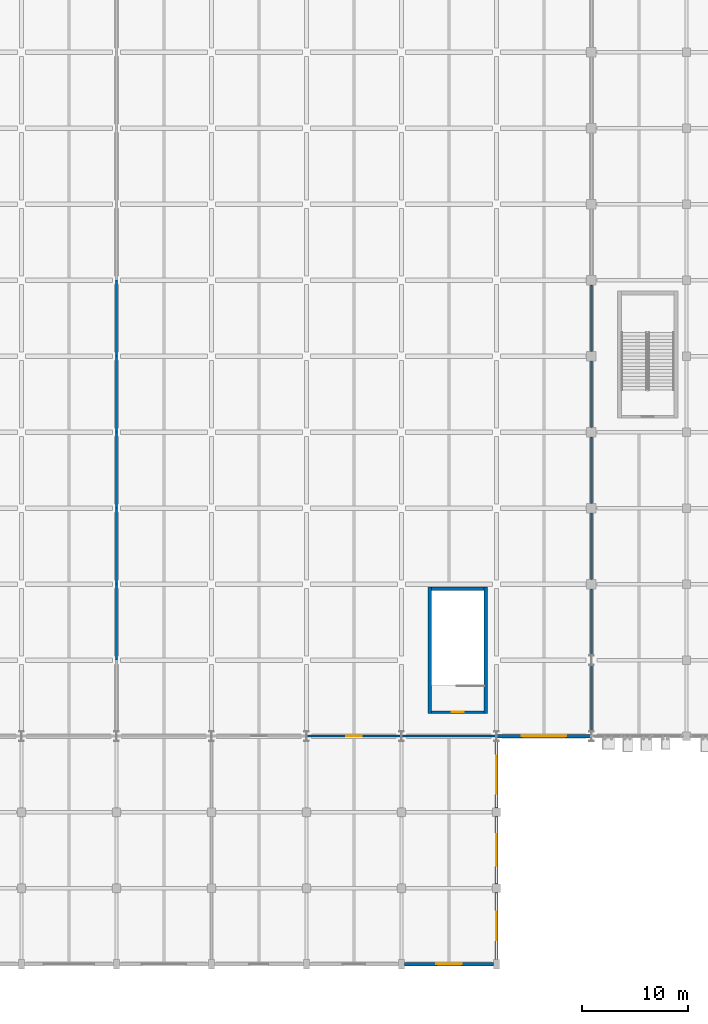
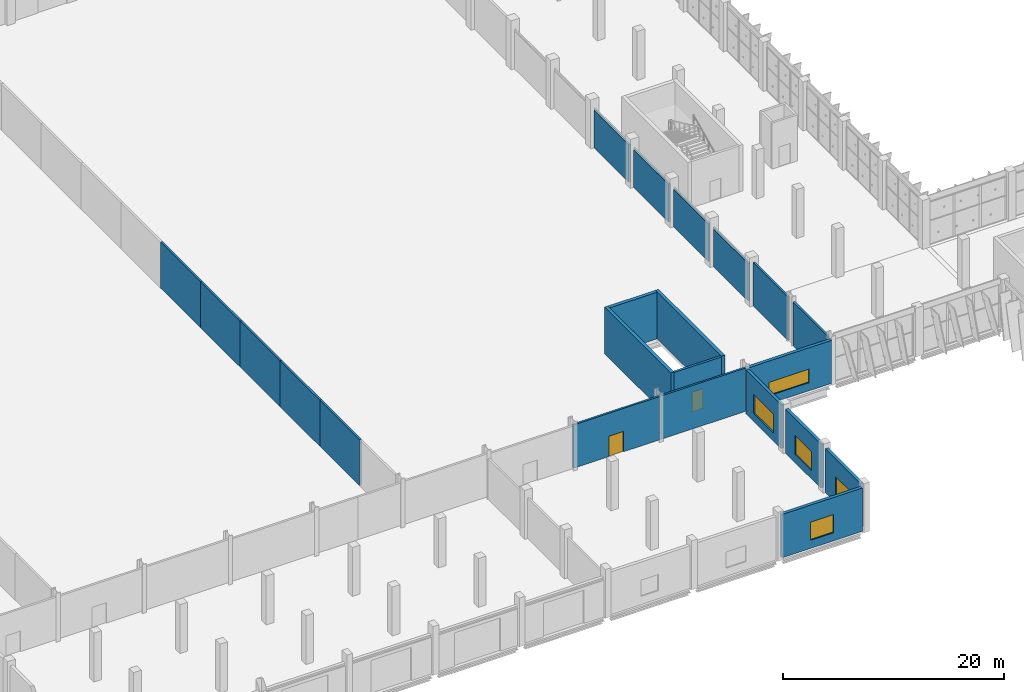
# One storey, part 87 of 137: 22 walls, 5 windows, 2 doors, 7 openings.
"""IFC4 building model written with IfcOpenShell, lengths in metres."""

import ifcopenshell
import ifcopenshell.guid

model = None  # the IFC model being written
_history = None  # IfcOwnerHistory: only IFC2X3 demands one
_inside = {}  # id of a spatial element -> (the spatial element, [elements in it])
_under = {}  # id of a project, library or spatial element -> (it, [spatial elements below it])
_declared = {}  # id of a project -> (the project, [libraries it declares])
_typed = {}  # id of a type object -> (the type object, [elements of that type])
_made_of = {}  # id of a material, layer set ... -> (it, [elements and type objects made of it])


def new_model(schema):
    """Start an empty IFC model of exactly this schema.

    Asked for "IFC4X3", IfcOpenShell would pick the latest addendum, in which some entities
    have other attributes; the version numbers below select the first issue.
    IFC2X3 requires an IfcOwnerHistory on every rooted entity: one is made here for all.
    """
    global model, _history
    if schema == "IFC4X3":
        model = ifcopenshell.file(schema_version=(4, 3, 0, 0))
    else:
        model = ifcopenshell.file(schema=schema)
    _inside.clear()
    _under.clear()
    _declared.clear()
    _typed.clear()
    _made_of.clear()
    _history = None
    if model.schema == "IFC2X3":
        org = make("IfcOrganization", Name="unknown")
        user = make(
            "IfcPersonAndOrganization",
            ThePerson=make("IfcPerson", FamilyName="unknown"),
            TheOrganization=org,
        )
        app = make(
            "IfcApplication",
            ApplicationDeveloper=org,
            Version="unknown",
            ApplicationFullName="unknown",
            ApplicationIdentifier="unknown",
        )
        _history = make(
            "IfcOwnerHistory",
            OwningUser=user,
            OwningApplication=app,
            ChangeAction="ADDED",
            CreationDate=0,
        )
    return model


def make(cls, **values):
    """One entity of the class cls with the attributes given. An attribute that is None is left unset."""
    return model.create_entity(
        cls, **{name: value for name, value in values.items() if value is not None}
    )


def rooted(cls, **values):
    """An entity with a GlobalId (a new one), such as an element, a storey or a relation."""
    return make(cls, GlobalId=ifcopenshell.guid.new(), OwnerHistory=_history, **values)


def si_unit(unit_type, name, prefix=None):
    """IfcSIUnit, for example si_unit("LENGTHUNIT", "METRE", prefix="MILLI")."""
    return make("IfcSIUnit", UnitType=unit_type, Prefix=prefix, Name=name)


def assignment(units):
    """IfcUnitAssignment: the units of a project."""
    return None if units is None else make("IfcUnitAssignment", Units=units)


def point(xyz):
    """IfcCartesianPoint."""
    return None if xyz is None else make("IfcCartesianPoint", Coordinates=xyz)


def direction(xyz):
    """IfcDirection."""
    return None if xyz is None else make("IfcDirection", DirectionRatios=xyz)


def frame(location, z_axis=None, x_axis=None):
    """IfcAxis2Placement3D, a coordinate frame: its origin and axes. An axis left out is left unset."""
    return make(
        "IfcAxis2Placement3D",
        Location=point(location),
        Axis=direction(z_axis),
        RefDirection=direction(x_axis),
    )


def frame_2d(location, x_axis=None):
    """IfcAxis2Placement2D, a coordinate frame in the plane: its origin and x axis."""
    return make(
        "IfcAxis2Placement2D", Location=point(location), RefDirection=direction(x_axis)
    )


def origin():
    """The frame at (0, 0, 0) with its axes left unset."""
    return frame((0.0, 0.0, 0.0))


def place(relative_to, where):
    """IfcLocalPlacement: puts the frame where relative to a parent placement (None: the world)."""
    return make(
        "IfcLocalPlacement", PlacementRelTo=relative_to, RelativePlacement=where
    )


def context(
    kind, dimensions, precision=None, world=None, true_north=None, identifier=None
):
    """IfcGeometricRepresentationContext, for example the 3D "Model" context."""
    return make(
        "IfcGeometricRepresentationContext",
        ContextIdentifier=identifier,
        ContextType=kind,
        CoordinateSpaceDimension=dimensions,
        Precision=precision,
        WorldCoordinateSystem=world,
        TrueNorth=true_north,
    )


def subcontext(parent, identifier, kind, view, scale=None):
    """IfcGeometricRepresentationSubContext, for example "Body" below "Model"."""
    return make(
        "IfcGeometricRepresentationSubContext",
        ContextIdentifier=identifier,
        ContextType=kind,
        ParentContext=parent,
        TargetScale=scale,
        TargetView=view,
    )


def project(units=None, contexts=None):
    """IfcProject with its units and contexts."""
    return rooted(
        "IfcProject",
        Name="project",
        RepresentationContexts=contexts,
        UnitsInContext=assignment(units),
    )


def spatial(cls, under=None, at=None, **own):
    """A site, building, storey or space (cls), placed at a placement, below another one or the project."""
    s = rooted(cls, ObjectPlacement=at, **own)
    if under is not None:
        _under.setdefault(under.id(), (under, []))[1].append(s)
    return s


def profile(cls, at=None, kind="AREA", **sizes):
    """A parametric profile (cls). Its sizes go by their IFC names, for example OverallWidth=200.0."""
    return make(cls, ProfileType=kind, Position=at, **sizes)


def rectangle(**sizes):
    """IfcRectangleProfileDef."""
    return profile("IfcRectangleProfileDef", **sizes)


def extrude(swept, where, along, depth):
    """IfcExtrudedAreaSolid: the profile swept, set in the frame where, extruded along a direction by depth."""
    return make(
        "IfcExtrudedAreaSolid",
        SweptArea=swept,
        Position=where,
        ExtrudedDirection=direction(along),
        Depth=depth,
    )


def shape(context_of_items, identifier, shape_type, items):
    """IfcShapeRepresentation: the items that make up one representation, for example the "Body"."""
    return make(
        "IfcShapeRepresentation",
        ContextOfItems=context_of_items,
        RepresentationIdentifier=identifier,
        RepresentationType=shape_type,
        Items=items,
    )


def material(Name=None, Category=None):
    """IfcMaterial."""
    return make("IfcMaterial", Name=Name, Category=Category)


def layer(
    of_material, thickness, ventilated=None, Name=None, Category=None, Priority=None
):
    """IfcMaterialLayer: one layer of a wall or slab, of a material (None: an air gap)."""
    return make(
        "IfcMaterialLayer",
        Material=of_material,
        LayerThickness=thickness,
        IsVentilated=ventilated,
        Name=Name,
        Category=Category,
        Priority=Priority,
    )


def layer_set(layers, Name=None):
    """IfcMaterialLayerSet."""
    return make("IfcMaterialLayerSet", MaterialLayers=layers, LayerSetName=Name)


def made_of(thing, what):
    """Note that an element or type object is made of a material, layer set ...; save() writes the relation."""
    if what is not None:
        _made_of.setdefault(what.id(), (what, []))[1].append(thing)
    return thing


def type_object(cls, material=None, **own):
    """A type object (cls), such as IfcWallType, which elements share."""
    return made_of(rooted(cls, **own), material)


def element(
    cls,
    number,
    at=None,
    inside=None,
    cuts=None,
    type_object=None,
    material=None,
    context=None,
    identifier="Body",
    shape_type=None,
    held_by="IfcProductDefinitionShape",
    body=None,
    shapes=None,
    **own,
):
    """One element of the class cls, such as IfcWall. Its Tag is "e" and its number.

    at: its placement. inside: the storey or other place that contains it. cuts: it is an
    opening in that element (IfcRelVoidsElement). A single representation is given by context,
    identifier, shape_type and body (its items); several are given by shapes. held_by: the class
    of the entity that holds the representations. save() writes the other relations.
    """
    e = rooted(cls, Tag="e%d" % number, ObjectPlacement=at, **own)
    if body is not None:
        shapes = [shape(context, identifier, shape_type, body)]
    if shapes is not None:
        e.Representation = make(held_by, Representations=shapes)
    if inside is not None:
        _inside.setdefault(inside.id(), (inside, []))[1].append(e)
    if cuts is not None:
        rooted(
            "IfcRelVoidsElement", RelatingBuildingElement=cuts, RelatedOpeningElement=e
        )
    if type_object is not None:
        _typed.setdefault(type_object.id(), (type_object, []))[1].append(e)
    return made_of(e, material)


def fill(opening, filler):
    """IfcRelFillsElement: the door or window that sits in an opening."""
    return rooted(
        "IfcRelFillsElement",
        RelatingOpeningElement=opening,
        RelatedBuildingElement=filler,
    )


def aggregate(whole, parts):
    """IfcRelAggregates: a whole, such as a stair, and the parts it consists of."""
    return rooted("IfcRelAggregates", RelatingObject=whole, RelatedObjects=parts)


def save(model, path):
    """Write the relations noted so far, then the file.

    IfcRelAggregates (storeys below a building ...), IfcRelContainedInSpatialStructure (elements
    in a storey), IfcRelDefinesByType, IfcRelAssociatesMaterial and IfcRelDeclares: one each for
    every whole, place, type object, material and project.
    """
    for whole, parts in _under.values():
        aggregate(whole, parts)
    for where, things in _inside.values():
        rooted(
            "IfcRelContainedInSpatialStructure",
            RelatedElements=things,
            RelatingStructure=where,
        )
    for kind, things in _typed.values():
        rooted("IfcRelDefinesByType", RelatedObjects=things, RelatingType=kind)
    for what, things in _made_of.values():
        rooted("IfcRelAssociatesMaterial", RelatedObjects=things, RelatingMaterial=what)
    for by, libraries in _declared.values():
        rooted("IfcRelDeclares", RelatingContext=by, RelatedDefinitions=libraries)
    model.write(path)


model = new_model("IFC4")

# Units and contexts
model_context = context("Model", 3, precision=1e-05, world=origin(), true_north=direction((0.0, 1.0)))
body_context = subcontext(model_context, "Body", "Model", "MODEL_VIEW")
ifc_project = project(units=[si_unit("LENGTHUNIT", "METRE"), si_unit("AREAUNIT", "SQUARE_METRE"), si_unit("VOLUMEUNIT", "CUBIC_METRE"), si_unit("PLANEANGLEUNIT", "RADIAN"), si_unit("MASSUNIT", "GRAM", prefix="KILO")], contexts=[model_context])

# Site, building, storey
site_placement = place(None, origin())
site = spatial("IfcSite", under=ifc_project, at=site_placement, CompositionType="ELEMENT")
building_placement = place(site_placement, origin())
building = spatial("IfcBuilding", under=site, at=building_placement, Name="Celestram Park Convention Centre", CompositionType="ELEMENT")
storey_placement = place(building_placement, origin())
storey = spatial("IfcBuildingStorey", under=building, at=storey_placement, Name="L00", CompositionType="ELEMENT", Elevation=0.0)

# Wall, opening, door
ifc_material_1 = material(Name="Double-Stud Acoustic Gypsum Assembly", Category="gypsum")
ifc_layer_1 = layer(ifc_material_1, 0.199951171875)
ifc_layer_set_1 = layer_set([ifc_layer_1], Name="Double-Stud Acoustic Gypsum Assembly")
wall_type_1 = type_object("IfcWallType", Name="ARC-WL-ACO200", PredefinedType="PARTITIONING", material=ifc_layer_set_1)
wall_1_placement = place(storey_placement, frame((99.010009765625, 21.60009765625, 0.0), z_axis=(0.0, 0.0, 1.0), x_axis=(1.0, 0.0, 0.0)))
wall_1 = element("IfcWall", 1, at=wall_1_placement, inside=storey, type_object=wall_type_1, Name="Interior partition WL-L00-IN0548", PredefinedType="PARTITIONING", context=body_context, shape_type="SweptSolid", body=[
    extrude(rectangle(XDim=8.97998046875, YDim=0.199951171875, at=frame_2d((4.489990234375, 0.0))), origin(), (0.0, 0.0, 1.0), 4.787109375),
])
opening_1_placement = place(wall_1_placement, frame((3.739990234375, 0.0, 0.0)))
opening_1 = element("IfcOpeningElement", 2, at=opening_1_placement, cuts=wall_1, Name="Opening D-09", PredefinedType="OPENING", context=body_context, shape_type="SweptSolid", body=[
    extrude(rectangle(XDim=1.5, YDim=2.25, at=frame_2d((0.75, 1.125))), frame((0.0, 0.10986328125, 0.0), z_axis=(0.0, -1.0, 0.0), x_axis=(1.0, 0.0, 0.0)), (0.0, 0.0, 1.0), 0.219970703125),
])
ifc_material_2 = material(Name="Galvanised Hollow Metal Plant Double Door", Category="steel")
door_type_1 = type_object("IfcDoorType", Name="ARC-DR-PLT150", OperationType="NOTDEFINED", PredefinedType="DOOR", material=ifc_material_2)
door_1_placement = place(opening_1_placement, origin())
door_1 = element("IfcDoor", 3, at=door_1_placement, inside=storey, type_object=door_type_1, Name="Freight Equipment Store entrance door", OperationType="DOUBLE_DOOR_SINGLE_SWING", OverallHeight=2.25, OverallWidth=1.5, PredefinedType="DOOR", context=body_context, shape_type="SweptSolid", body=[
    extrude(rectangle(XDim=1.5, YDim=2.25, at=frame_2d((0.75, 1.125))), frame((0.0, 0.02490234375, 0.0), z_axis=(0.0, -1.0, 0.0), x_axis=(1.0, 0.0, 0.0)), (0.0, 0.0, 1.0), 0.050048828125),
])
fill(opening_1, door_1)

# Walls
wall_2_placement = place(storey_placement, frame((108.010009765625, 21.60009765625, 0.0), z_axis=(0.0, 0.0, 1.0), x_axis=(1.0, 0.0, 0.0)))
element("IfcWall", 4, at=wall_2_placement, inside=storey, type_object=wall_type_1, Name="Interior partition WL-L00-IN0549", PredefinedType="PARTITIONING", context=body_context, shape_type="SweptSolid", body=[
    extrude(rectangle(XDim=8.97998046875, YDim=0.199951171875, at=frame_2d((4.489990234375, 0.0))), origin(), (0.0, 0.0, 1.0), 4.787109375),
])
for number, where, z_axis, x_axis, name in (
    (5, (81.0, 28.800048828125, 0.0), (0.0, 0.0, 1.0), (0.0, 1.0, 0.0), "Interior partition WL-L00-IN0632"),
    (6, (81.0, 36.0, 0.0), (0.0, 0.0, 1.0), (0.0, 1.0, 0.0), "Interior partition WL-L00-IN0633"),
    (7, (81.0, 43.199951171875, 0.0), (0.0, 0.0, 1.0), (0.0, 1.0, 0.0), "Interior partition WL-L00-IN0634"),
):
    element("IfcWall", number, at=place(storey_placement, frame(where, z_axis=z_axis, x_axis=x_axis)), inside=storey, type_object=wall_type_1, Name=name, PredefinedType="PARTITIONING", context=body_context, shape_type="SweptSolid", body=[
        extrude(rectangle(XDim=7.199951171875, YDim=0.199951171875, at=frame_2d((3.60009765625, 0.0))), origin(), (0.0, 0.0, 1.0), 5.080078125),
    ])
wall_3_placement = place(storey_placement, frame((81.0, 50.39990234375, 0.0), z_axis=(0.0, 0.0, 1.0), x_axis=(0.0, 1.0, 0.0)))
element("IfcWall", 8, at=wall_3_placement, inside=storey, type_object=wall_type_1, Name="Interior partition WL-L00-IN0635", PredefinedType="PARTITIONING", context=body_context, shape_type="SweptSolid", body=[
    extrude(rectangle(XDim=7.2001953125, YDim=0.199951171875, at=frame_2d((3.60009765625, 0.0))), origin(), (0.0, 0.0, 1.0), 5.080078125),
])
wall_4_placement = place(storey_placement, frame((81.0, 57.60009765625, 0.0), z_axis=(0.0, 0.0, 1.0), x_axis=(0.0, 1.0, 0.0)))
element("IfcWall", 9, at=wall_4_placement, inside=storey, type_object=wall_type_1, Name="Interior partition WL-L00-IN0636", PredefinedType="PARTITIONING", context=body_context, shape_type="SweptSolid", body=[
    extrude(rectangle(XDim=7.199951171875, YDim=0.199951171875, at=frame_2d((3.60009765625, 0.0))), origin(), (0.0, 0.0, 1.0), 5.080078125),
])
wall_5_placement = place(storey_placement, frame((126.0, 22.06396484375, 0.0), z_axis=(0.0, 0.0, 1.0), x_axis=(0.0, 1.0, 0.0)))
element("IfcWall", 10, at=wall_5_placement, inside=storey, type_object=wall_type_1, Name="Interior partition WL-L00-IN0654", PredefinedType="PARTITIONING", context=body_context, shape_type="SweptSolid", body=[
    extrude(rectangle(XDim=6.27197265625, YDim=0.199951171875, at=frame_2d((3.135986328125, 0.0))), origin(), (0.0, 0.0, 1.0), 4.820068359375),
])
wall_6_placement = place(storey_placement, frame((126.0, 29.263916015625, 0.0), z_axis=(0.0, 0.0, 1.0), x_axis=(0.0, 1.0, 0.0)))
element("IfcWall", 11, at=wall_6_placement, inside=storey, type_object=wall_type_1, Name="Interior partition WL-L00-IN0655", PredefinedType="PARTITIONING", context=body_context, shape_type="SweptSolid", body=[
    extrude(rectangle(XDim=6.2880859375, YDim=0.199951171875, at=frame_2d((3.14404296875, 0.0))), origin(), (0.0, 0.0, 1.0), 4.820068359375),
])
for number, where, z_axis, x_axis, name in (
    (12, (126.0, 36.447998046875, 0.0), (0.0, 0.0, 1.0), (0.0, 1.0, 0.0), "Interior partition WL-L00-IN0656"),
    (13, (126.0, 43.64794921875, 0.0), (0.0, 0.0, 1.0), (0.0, 1.0, 0.0), "Interior partition WL-L00-IN0657"),
):
    element("IfcWall", number, at=place(storey_placement, frame(where, z_axis=z_axis, x_axis=x_axis)), inside=storey, type_object=wall_type_1, Name=name, PredefinedType="PARTITIONING", context=body_context, shape_type="SweptSolid", body=[
        extrude(rectangle(XDim=6.303955078125, YDim=0.199951171875, at=frame_2d((3.15185546875, 0.0))), origin(), (0.0, 0.0, 1.0), 4.14990234375),
    ])
wall_7_placement = place(storey_placement, frame((126.0, 50.847900390625, 0.0), z_axis=(0.0, 0.0, 1.0), x_axis=(0.0, 1.0, 0.0)))
element("IfcWall", 14, at=wall_7_placement, inside=storey, type_object=wall_type_1, Name="Interior partition WL-L00-IN0658", PredefinedType="PARTITIONING", context=body_context, shape_type="SweptSolid", body=[
    extrude(rectangle(XDim=6.30419921875, YDim=0.199951171875, at=frame_2d((3.152099609375, 0.0))), origin(), (0.0, 0.0, 1.0), 4.14990234375),
])
wall_8_placement = place(storey_placement, frame((126.0, 58.048095703125, 0.0), z_axis=(0.0, 0.0, 1.0), x_axis=(0.0, 1.0, 0.0)))
element("IfcWall", 15, at=wall_8_placement, inside=storey, type_object=wall_type_1, Name="Interior partition WL-L00-IN0659", PredefinedType="PARTITIONING", context=body_context, shape_type="SweptSolid", body=[
    extrude(rectangle(XDim=6.303955078125, YDim=0.199951171875, at=frame_2d((3.15185546875, 0.0))), origin(), (0.0, 0.0, 1.0), 4.14990234375),
])

# Wall, opening, door
ifc_material_3 = material(Name="Concrete Block Masonry C25/30", Category="masonry")
ifc_layer_2 = layer(ifc_material_3, 0.25)
ifc_layer_set_2 = layer_set([ifc_layer_2], Name="Concrete Block Masonry C25/30")
wall_type_2 = type_object("IfcWallType", Name="ARC-WL-COR250", PredefinedType="STANDARD", material=ifc_layer_set_2)
wall_9_placement = place(storey_placement, frame((115.800048828125, 23.875, 0.0), z_axis=(0.0, 0.0, 1.0), x_axis=(-1.0, 0.0, 0.0)))
wall_9 = element("IfcWall", 16, at=wall_9_placement, inside=storey, type_object=wall_type_2, Name="Core S18 stair entrance wall", PredefinedType="STANDARD", context=body_context, shape_type="SweptSolid", body=[
    extrude(rectangle(XDim=4.9599609375, YDim=0.25, at=frame_2d((2.47998046875, 0.0))), origin(), (0.0, 0.0, 1.0), 5.080078125),
])
opening_2_placement = place(wall_9_placement, frame((1.905029296875, 0.0, 0.0)))
opening_2 = element("IfcOpeningElement", 17, at=opening_2_placement, cuts=wall_9, Name="Opening D-ST1", PredefinedType="OPENING", context=body_context, shape_type="SweptSolid", body=[
    extrude(rectangle(XDim=1.14990234375, YDim=2.199951171875, at=frame_2d((0.574951171875, 1.10009765625))), frame((0.0, 0.135009765625, 0.0), z_axis=(0.0, -1.0, 0.0), x_axis=(1.0, 0.0, 0.0)), (0.0, 0.0, 1.0), 0.27001953125),
])
ifc_material_4 = material(Name="Fire-Rated Hollow Metal Steel ASTM A653", Category="steel")
door_type_2 = type_object("IfcDoorType", Name="ARC-DR-ST115", OperationType="NOTDEFINED", PredefinedType="DOOR", material=ifc_material_4)
door_2_placement = place(opening_2_placement, origin())
door_2 = element("IfcDoor", 18, at=door_2_placement, inside=storey, type_object=door_type_2, Name="Exit stair ST-18 fire door", OperationType="SINGLE_SWING_RIGHT", OverallHeight=2.199951171875, OverallWidth=1.14990234375, PredefinedType="DOOR", context=body_context, shape_type="SweptSolid", body=[
    extrude(rectangle(XDim=1.14990234375, YDim=2.199951171875, at=frame_2d((0.574951171875, 1.10009765625))), frame((0.0, 0.02490234375, 0.0), z_axis=(0.0, -1.0, 0.0), x_axis=(1.0, 0.0, 0.0)), (0.0, 0.0, 1.0), 0.050048828125),
])
fill(opening_2, door_2)

# Wall, opening, window
ifc_material_5 = material(Name="Precast Concrete C40/50", Category="concrete")
ifc_layer_3 = layer(ifc_material_5, 0.320068359375)
ifc_layer_set_3 = layer_set([ifc_layer_3], Name="Precast Concrete C40/50")
wall_type_3 = type_object("IfcWallType", Name="ARC-WL-EXT320", PredefinedType="STANDARD", material=ifc_layer_set_3)
wall_10_placement = place(storey_placement, frame((125.989990234375, 21.60009765625, 0.0), z_axis=(0.0, 0.0, 1.0), x_axis=(-1.0, 0.0, 0.0)))
wall_10 = element("IfcWall", 19, at=wall_10_placement, inside=storey, type_object=wall_type_3, Name="Bush-hammered precast exterior wall WL-L00-EW062", PredefinedType="STANDARD", context=body_context, shape_type="SweptSolid", body=[
    extrude(rectangle(XDim=8.97998046875, YDim=0.320068359375, at=frame_2d((4.489990234375, 0.0))), origin(), (0.0, 0.0, 1.0), 4.7470703125),
])
opening_3_placement = place(wall_10_placement, frame((2.389892578125, 0.0, 0.89990234375)))
opening_3 = element("IfcOpeningElement", 20, at=opening_3_placement, cuts=wall_10, Name="Opening W-08", PredefinedType="OPENING", context=body_context, shape_type="SweptSolid", body=[
    extrude(rectangle(XDim=4.199951171875, YDim=1.5, at=frame_2d((2.10009765625, 0.75))), frame((0.0, 0.169921875, 0.0), z_axis=(0.0, -1.0, 0.0), x_axis=(1.0, 0.0, 0.0)), (0.0, 0.0, 1.0), 0.340087890625),
])
ifc_material_6 = material(Name="Thermally Broken Aluminium & Triple Glazing", Category="aluminium")
window_type_1 = type_object("IfcWindowType", Name="ARC-WN-420X150", PartitioningType="SINGLE_PANEL", PredefinedType="WINDOW", material=ifc_material_6)
window_1_placement = place(opening_3_placement, origin())
window_1 = element("IfcWindow", 21, at=window_1_placement, inside=storey, type_object=window_type_1, Name="Punched exterior window WN-L00-008", OverallHeight=1.5, OverallWidth=4.199951171875, PartitioningType="SINGLE_PANEL", PredefinedType="WINDOW", context=body_context, shape_type="SweptSolid", body=[
    extrude(rectangle(XDim=4.199951171875, YDim=1.5, at=frame_2d((2.10009765625, 0.75))), frame((0.0, 0.030029296875, 0.0), z_axis=(0.0, -1.0, 0.0), x_axis=(1.0, 0.0, 0.0)), (0.0, 0.0, 1.0), 0.06005859375),
])
fill(opening_3, window_1)

wall_11_placement = place(storey_placement, frame((117.0, 21.135986328125, 0.0), z_axis=(0.0, 0.0, 1.0), x_axis=(0.0, -1.0, 0.0)))
wall_11 = element("IfcWall", 22, at=wall_11_placement, inside=storey, type_object=wall_type_3, Name="Bush-hammered precast exterior wall WL-L00-EW063", PredefinedType="STANDARD", context=body_context, shape_type="SweptSolid", body=[
    extrude(rectangle(XDim=6.337890625, YDim=0.320068359375, at=frame_2d((3.1689453125, 0.0))), origin(), (0.0, 0.0, 1.0), 4.860107421875),
])
opening_4_placement = place(wall_11_placement, frame((1.368896484375, 0.0, 0.89990234375)))
opening_4 = element("IfcOpeningElement", 23, at=opening_4_placement, cuts=wall_11, Name="Opening W-01", PredefinedType="OPENING", context=body_context, shape_type="SweptSolid", body=[
    extrude(rectangle(XDim=3.60009765625, YDim=2.10009765625, at=frame_2d((1.800048828125, 1.050048828125))), frame((0.0, 0.169921875, 0.0), z_axis=(0.0, -1.0, 0.0), x_axis=(1.0, 0.0, 0.0)), (0.0, 0.0, 1.0), 0.340087890625),
])
window_type_2 = type_object("IfcWindowType", Name="ARC-WN-360X220", PartitioningType="SINGLE_PANEL", PredefinedType="WINDOW", material=ifc_material_6)
window_2_placement = place(opening_4_placement, origin())
window_2 = element("IfcWindow", 24, at=window_2_placement, inside=storey, type_object=window_type_2, Name="Punched exterior window WN-L00-009", OverallHeight=2.10009765625, OverallWidth=3.60009765625, PartitioningType="SINGLE_PANEL", PredefinedType="WINDOW", context=body_context, shape_type="SweptSolid", body=[
    extrude(rectangle(XDim=3.60009765625, YDim=2.10009765625, at=frame_2d((1.800048828125, 1.050048828125))), frame((0.0, 0.030029296875, 0.0), z_axis=(0.0, -1.0, 0.0), x_axis=(1.0, 0.0, 0.0)), (0.0, 0.0, 1.0), 0.06005859375),
])
fill(opening_4, window_2)

wall_12_placement = place(storey_placement, frame((117.0, 14.001953125, 0.0), z_axis=(0.0, 0.0, 1.0), x_axis=(0.0, -1.0, 0.0)))
wall_12 = element("IfcWall", 25, at=wall_12_placement, inside=storey, type_object=wall_type_3, Name="Bush-hammered precast exterior wall WL-L00-EW064", PredefinedType="STANDARD", context=body_context, shape_type="SweptSolid", body=[
    extrude(rectangle(XDim=6.404052734375, YDim=0.320068359375, at=frame_2d((3.2021484375, 0.0))), origin(), (0.0, 0.0, 1.0), 4.860107421875),
])
opening_5_placement = place(wall_12_placement, frame((1.701904296875, 0.0, 0.89990234375)))
opening_5 = element("IfcOpeningElement", 26, at=opening_5_placement, cuts=wall_12, Name="Opening W-02", PredefinedType="OPENING", context=body_context, shape_type="SweptSolid", body=[
    extrude(rectangle(XDim=3.0, YDim=2.10009765625, at=frame_2d((1.5, 1.050048828125))), frame((0.0, 0.169921875, 0.0), z_axis=(0.0, -1.0, 0.0), x_axis=(1.0, 0.0, 0.0)), (0.0, 0.0, 1.0), 0.340087890625),
])
window_type_3 = type_object("IfcWindowType", Name="ARC-WN-300X220", PartitioningType="SINGLE_PANEL", PredefinedType="WINDOW", material=ifc_material_6)
window_3_placement = place(opening_5_placement, origin())
window_3 = element("IfcWindow", 27, at=window_3_placement, inside=storey, type_object=window_type_3, Name="Punched exterior window WN-L00-010", OverallHeight=2.10009765625, OverallWidth=3.0, PartitioningType="SINGLE_PANEL", PredefinedType="WINDOW", context=body_context, shape_type="SweptSolid", body=[
    extrude(rectangle(XDim=3.0, YDim=2.10009765625, at=frame_2d((1.5, 1.050048828125))), frame((0.0, 0.030029296875, 0.0), z_axis=(0.0, -1.0, 0.0), x_axis=(1.0, 0.0, 0.0)), (0.0, 0.0, 1.0), 0.06005859375),
])
fill(opening_5, window_3)

wall_13_placement = place(storey_placement, frame((117.0, 6.802001953125, 0.0), z_axis=(0.0, 0.0, 1.0), x_axis=(0.0, -1.0, 0.0)))
wall_13 = element("IfcWall", 28, at=wall_13_placement, inside=storey, type_object=wall_type_3, Name="Bush-hammered precast exterior wall WL-L00-EW065", PredefinedType="STANDARD", context=body_context, shape_type="SweptSolid", body=[
    extrude(rectangle(XDim=6.35400390625, YDim=0.320068359375, at=frame_2d((3.177001953125, 0.0))), origin(), (0.0, 0.0, 1.0), 4.860107421875),
])
opening_6_placement = place(wall_13_placement, frame((1.826904296875, 0.0, 0.89990234375)))
opening_6 = element("IfcOpeningElement", 29, at=opening_6_placement, cuts=wall_13, Name="Opening W-03", PredefinedType="OPENING", context=body_context, shape_type="SweptSolid", body=[
    extrude(rectangle(XDim=2.699951171875, YDim=2.0, at=frame_2d((1.35009765625, 1.0))), frame((0.0, 0.169921875, 0.0), z_axis=(0.0, -1.0, 0.0), x_axis=(1.0, 0.0, 0.0)), (0.0, 0.0, 1.0), 0.340087890625),
])
window_type_4 = type_object("IfcWindowType", Name="ARC-WN-270X200", PartitioningType="SINGLE_PANEL", PredefinedType="WINDOW", material=ifc_material_6)
window_4_placement = place(opening_6_placement, origin())
window_4 = element("IfcWindow", 30, at=window_4_placement, inside=storey, type_object=window_type_4, Name="Punched exterior window WN-L00-011", OverallHeight=2.0, OverallWidth=2.699951171875, PartitioningType="SINGLE_PANEL", PredefinedType="WINDOW", context=body_context, shape_type="SweptSolid", body=[
    extrude(rectangle(XDim=2.699951171875, YDim=2.0, at=frame_2d((1.35009765625, 1.0))), frame((0.0, 0.030029296875, 0.0), z_axis=(0.0, -1.0, 0.0), x_axis=(1.0, 0.0, 0.0)), (0.0, 0.0, 1.0), 0.06005859375),
])
fill(opening_6, window_4)

wall_14_placement = place(storey_placement, frame((116.701904296875, 0.0, 0.0), z_axis=(0.0, 0.0, 1.0), x_axis=(-1.0, 0.0, 0.0)))
wall_14 = element("IfcWall", 31, at=wall_14_placement, inside=storey, type_object=wall_type_3, Name="Bush-hammered precast exterior wall WL-L00-EW066", PredefinedType="STANDARD", context=body_context, shape_type="SweptSolid", body=[
    extrude(rectangle(XDim=8.40380859375, YDim=0.320068359375, at=frame_2d((4.201904296875, 0.0))), origin(), (0.0, 0.0, 1.0), 4.787109375),
])
opening_7_placement = place(wall_14_placement, frame((3.001953125, 0.0, 0.89990234375)))
opening_7 = element("IfcOpeningElement", 32, at=opening_7_placement, cuts=wall_14, Name="Opening W-04", PredefinedType="OPENING", context=body_context, shape_type="SweptSolid", body=[
    extrude(rectangle(XDim=2.39990234375, YDim=2.0, at=frame_2d((1.199951171875, 1.0))), frame((0.0, 0.169921875, 0.0), z_axis=(0.0, -1.0, 0.0), x_axis=(1.0, 0.0, 0.0)), (0.0, 0.0, 1.0), 0.340087890625),
])
window_type_5 = type_object("IfcWindowType", Name="ARC-WN-240X200", PartitioningType="SINGLE_PANEL", PredefinedType="WINDOW", material=ifc_material_6)
window_5_placement = place(opening_7_placement, origin())
window_5 = element("IfcWindow", 33, at=window_5_placement, inside=storey, type_object=window_type_5, Name="Punched exterior window WN-L00-012", OverallHeight=2.0, OverallWidth=2.39990234375, PartitioningType="SINGLE_PANEL", PredefinedType="WINDOW", context=body_context, shape_type="SweptSolid", body=[
    extrude(rectangle(XDim=2.39990234375, YDim=2.0, at=frame_2d((1.199951171875, 1.0))), frame((0.0, 0.030029296875, 0.0), z_axis=(0.0, -1.0, 0.0), x_axis=(1.0, 0.0, 0.0)), (0.0, 0.0, 1.0), 0.06005859375),
])
fill(opening_7, window_5)

# Walls
ifc_material_7 = material(Name="Concrete C40/50", Category="concrete")
ifc_layer_4 = layer(ifc_material_7, 0.340087890625)
ifc_layer_set_4 = layer_set([ifc_layer_4], Name="Concrete C40/50")
wall_type_4 = type_object("IfcWallType", Name="STR-WL-SHR340", PredefinedType="SHEAR", material=ifc_layer_set_4)
for number, where, z_axis, x_axis, name in (
    (34, (110.669921875, 23.75, 0.0), (0.0, 0.0, 1.0), (0.0, 1.0, 0.0), "Core S18 shear wall L"),
    (35, (115.969970703125, 35.739990234375, 0.0), (0.0, 0.0, 1.0), (0.0, -1.0, 0.0), "Core S18 shear wall R"),
):
    element("IfcWall", number, at=place(storey_placement, frame(where, z_axis=z_axis, x_axis=x_axis)), inside=storey, type_object=wall_type_4, Name=name, PredefinedType="SHEAR", context=body_context, shape_type="SweptSolid", body=[
        extrude(rectangle(XDim=11.989990234375, YDim=0.340087890625, at=frame_2d((5.9951171875, 0.0))), origin(), (0.0, 0.0, 1.0), 5.159912109375),
    ])
wall_15_placement = place(storey_placement, frame((110.840087890625, 35.570068359375, 0.0), z_axis=(0.0, 0.0, 1.0), x_axis=(1.0, 0.0, 0.0)))
element("IfcWall", 36, at=wall_15_placement, inside=storey, type_object=wall_type_4, Name="Core S18 shear wall F", PredefinedType="SHEAR", context=body_context, shape_type="SweptSolid", body=[
    extrude(rectangle(XDim=4.9599609375, YDim=0.340087890625, at=frame_2d((2.47998046875, 0.0))), origin(), (0.0, 0.0, 1.0), 5.159912109375),
])

save(model, "model.ifc")
